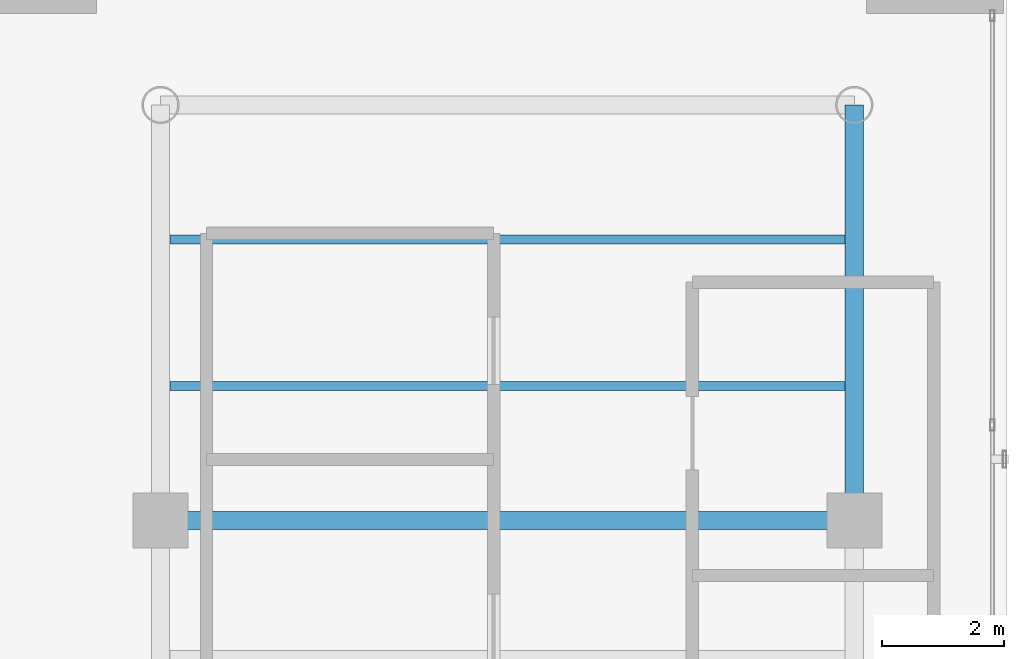
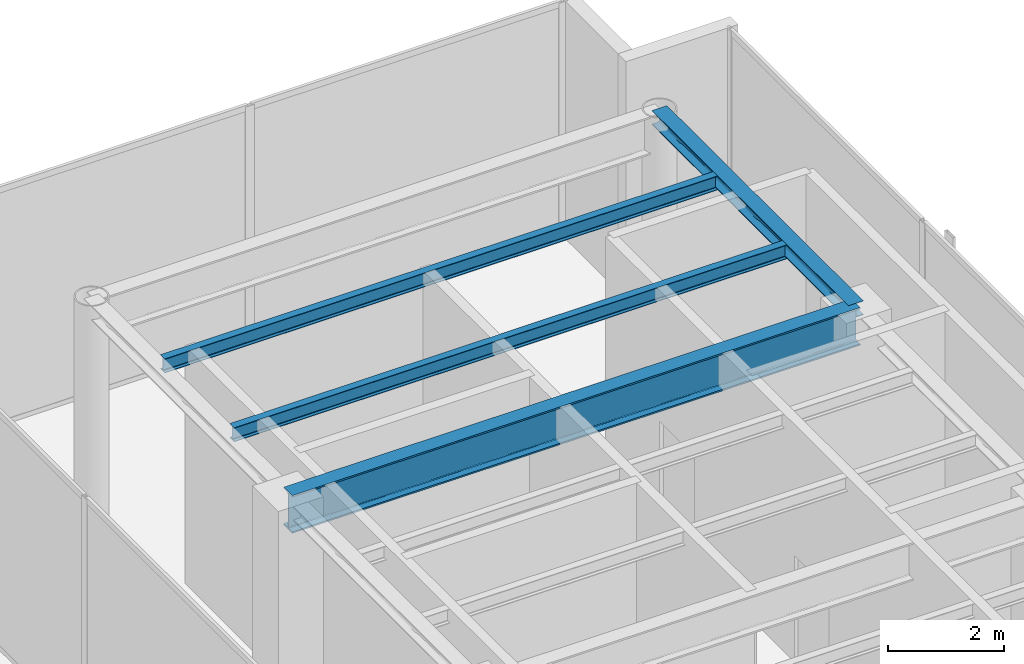
# One storey, part 21 of 29: 4 beams.
"""IFC4 building model written with IfcOpenShell, lengths in metres."""

from ifc_helpers import new_model, si_unit, direction, frame, origin, origin_2d, place, context, subcontext, project, spatial, i_section, extrude, material, material_profile, profile_set, type_object, element, save


model = new_model("IFC4")

# Units and contexts
model_context = context("Model", 3, precision=1e-05, world=origin(), true_north=direction((0.0, 1.0)))
body_context = subcontext(model_context, "Body", "Model", "MODEL_VIEW")
ifc_project = project(units=[si_unit("LENGTHUNIT", "METRE"), si_unit("AREAUNIT", "SQUARE_METRE"), si_unit("VOLUMEUNIT", "CUBIC_METRE"), si_unit("PLANEANGLEUNIT", "RADIAN"), si_unit("MASSUNIT", "GRAM", prefix="KILO")], contexts=[model_context])

# Site, building, storey
site_placement = place(None, origin())
site = spatial("IfcSite", under=ifc_project, at=site_placement, CompositionType="ELEMENT")
building_placement = place(site_placement, origin())
building = spatial("IfcBuilding", under=site, at=building_placement, Name="Kolvaren Waterfront Exchange", CompositionType="ELEMENT")
storey_placement = place(building_placement, frame((0.0, 0.0, 338.800048828125)))
storey = spatial("IfcBuildingStorey", under=building, at=storey_placement, Name="L87", CompositionType="ELEMENT", Elevation=338.800048828125)

# Beams
ifc_material = material(Name="Steel S355", Category="steel")
ifc_material_profile_1 = material_profile(ifc_material, i_section(OverallWidth=0.300048828125, OverallDepth=0.300048828125, WebThickness=0.010986328125, FlangeThickness=0.01904296875, FilletRadius=0.027099609375, at=origin_2d()), Name="HEB300")
ifc_profile_set_1 = profile_set([ifc_material_profile_1], Name="Steel S355")
beam_type_1 = type_object("IfcBeamType", Name="STR-BM-HEB300", PredefinedType="SPANDREL", material=ifc_profile_set_1)
beam_1_placement = place(storey_placement, frame((18.800048828125, 37.800048828125, 4.869873046875), z_axis=(0.0, 1.0, 0.0), x_axis=(-1.0, 0.0, 0.0)))
element("IfcBeam", 1, at=beam_1_placement, inside=storey, type_object=beam_type_1, Name="L87 north-arm edge beam 3", PredefinedType="SPANDREL", context=body_context, shape_type="SweptSolid", body=[
    extrude(i_section(OverallWidth=0.300048828125, OverallDepth=0.300048828125, WebThickness=0.010986328125, FlangeThickness=0.01904296875, FilletRadius=0.027099609375, at=origin_2d()), origin(), (0.0, 0.0, 1.0), 6.800048828125),
])
ifc_material_profile_2 = material_profile(ifc_material, i_section(OverallWidth=0.300048828125, OverallDepth=0.800048828125, WebThickness=0.017578125, FlangeThickness=0.032958984375, FilletRadius=0.030029296875, at=origin_2d()), Name="HEB800")
ifc_profile_set_2 = profile_set([ifc_material_profile_2], Name="Steel S355")
beam_type_2 = type_object("IfcBeamType", Name="STR-BM-HEB800", PredefinedType="BEAM", material=ifc_profile_set_2)
beam_2_placement = place(storey_placement, frame((7.449951171875, 37.800048828125, 4.619873046875), z_axis=(1.0, 0.0, 0.0), x_axis=(0.0, 1.0, 0.0)))
element("IfcBeam", 2, at=beam_2_placement, inside=storey, type_object=beam_type_2, Name="L87 north-arm girder 3", PredefinedType="BEAM", context=body_context, shape_type="SweptSolid", body=[
    extrude(i_section(OverallWidth=0.300048828125, OverallDepth=0.800048828125, WebThickness=0.017578125, FlangeThickness=0.032958984375, FilletRadius=0.030029296875, at=origin_2d()), origin(), (0.0, 0.0, 1.0), 11.35009765625),
])
ifc_material_profile_3 = material_profile(ifc_material, i_section(OverallWidth=0.14990234375, OverallDepth=0.300048828125, WebThickness=0.007080078125, FlangeThickness=0.0107421875, FilletRadius=0.014892578125, at=origin_2d()), Name="IPE300")
ifc_profile_set_3 = profile_set([ifc_material_profile_3], Name="Steel S355")
beam_type_3 = type_object("IfcBeamType", Name="STR-BM-IPE300", PredefinedType="JOIST", material=ifc_profile_set_3)
for number, where, z_axis, x_axis, name in (
    (3, (7.60205078125, 40.0, 4.869873046875), (1.0, 0.0, 0.0), (0.0, 1.0, 0.0), "L87 north-arm composite joist 5"),
    (4, (7.60205078125, 42.39990234375, 4.869873046875), (1.0, 0.0, 0.0), (0.0, 1.0, 0.0), "L87 north-arm composite joist 6"),
):
    element("IfcBeam", number, at=place(storey_placement, frame(where, z_axis=z_axis, x_axis=x_axis)), inside=storey, type_object=beam_type_3, Name=name, PredefinedType="JOIST", context=body_context, shape_type="SweptSolid", body=[
        extrude(i_section(OverallWidth=0.14990234375, OverallDepth=0.300048828125, WebThickness=0.007080078125, FlangeThickness=0.0107421875, FilletRadius=0.014892578125, at=origin_2d()), origin(), (0.0, 0.0, 1.0), 11.0458984375),
    ])

save(model, "model.ifc")
